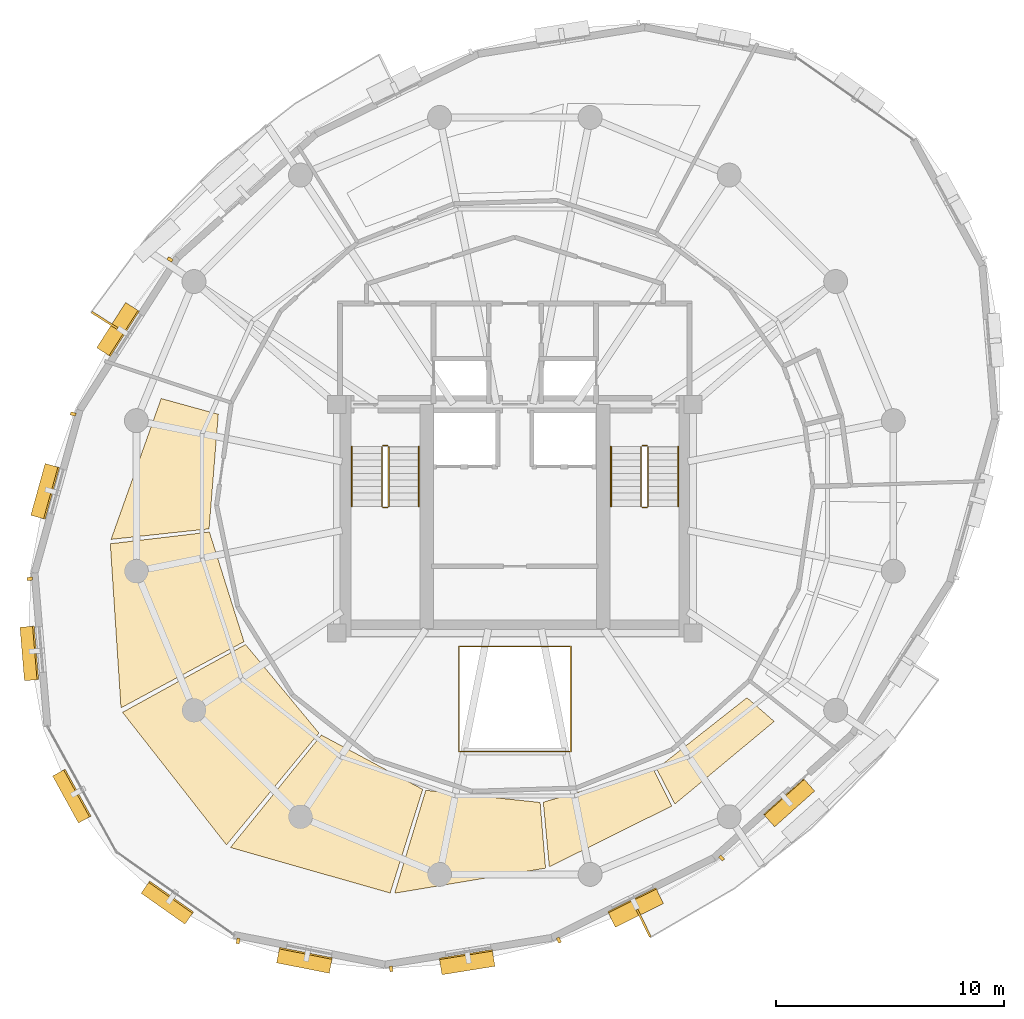
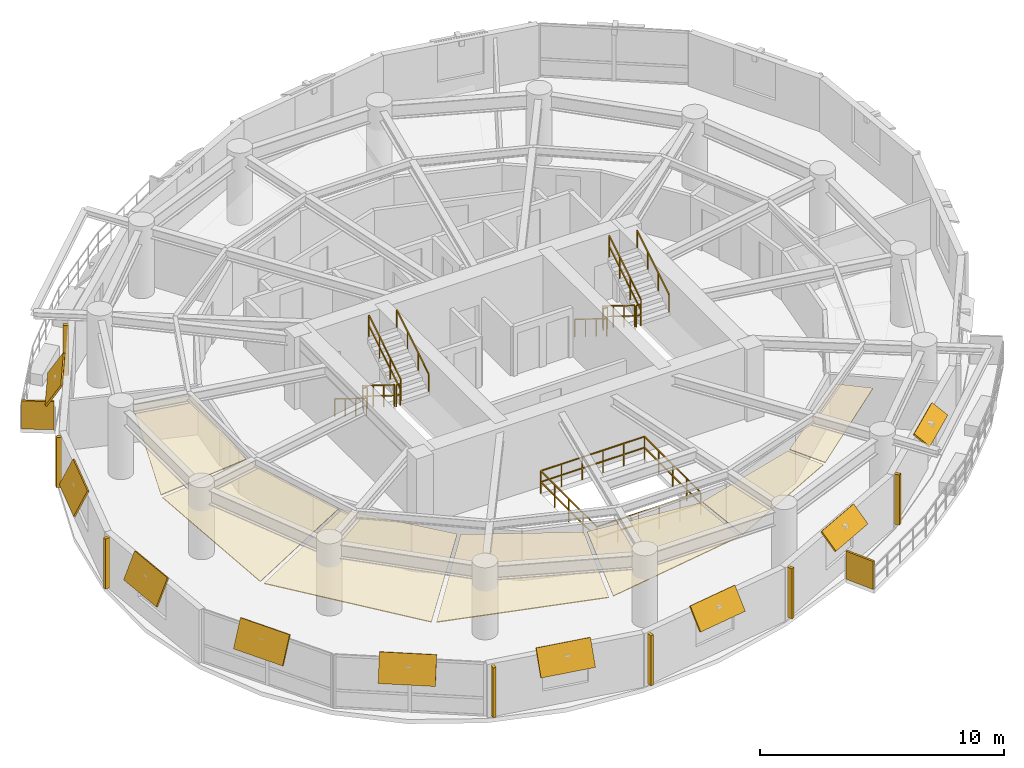
# One storey, part 11 of 12: 18 shading devices, 13 railings, 7 coverings.
"""IFC4 building model written with IfcOpenShell, lengths in metres."""

from ifc_helpers import new_model, si_unit, direction, frame, origin, origin_2d, place, context, subcontext, project, spatial, polyline, rectangle, outline, extrude, material, layer, layer_set, type_object, element, save


model = new_model("IFC4")

# Units and contexts
model_context = context("Model", 3, precision=1e-05, world=origin(), true_north=direction((0.0, 1.0)))
body_context = subcontext(model_context, "Body", "Model", "MODEL_VIEW")
ifc_project = project(units=[si_unit("LENGTHUNIT", "METRE"), si_unit("AREAUNIT", "SQUARE_METRE"), si_unit("VOLUMEUNIT", "CUBIC_METRE"), si_unit("PLANEANGLEUNIT", "RADIAN"), si_unit("MASSUNIT", "GRAM", prefix="KILO"), si_unit("THERMODYNAMICTEMPERATUREUNIT", "KELVIN"), si_unit("POWERUNIT", "WATT")], contexts=[model_context])

# Site, building, storey
site_placement = place(None, origin())
site = spatial("IfcSite", under=ifc_project, at=site_placement, CompositionType="ELEMENT")
building_placement = place(site_placement, origin())
building = spatial("IfcBuilding", under=site, at=building_placement, Name="Ocrelia Relay Tower", CompositionType="ELEMENT")
storey_placement = place(building_placement, frame((0.0, 0.0, 206.0)))
storey = spatial("IfcBuildingStorey", under=building, at=storey_placement, Name="L50", CompositionType="ELEMENT", Elevation=206.0)

# Coverings
ifc_material_1 = material(Name="Cleanroom metal-pan acoustic ceiling", Category="aluminium")
ifc_layer_1 = layer(ifc_material_1, 0.0400390625, Name="Cleanroom metal-pan acoustic ceiling")
ifc_layer_set_1 = layer_set([ifc_layer_1], Name="Cleanroom metal-pan acoustic ceiling")
covering_type = type_object("IfcCoveringType", Name="COV-CEIL-CLEAN", PredefinedType="CEILING", material=ifc_layer_set_1)
covering_1_placement = place(storey_placement, frame((0.0, 0.0, 2.3798828125)))
element("IfcCovering", 1, at=covering_1_placement, inside=storey, type_object=covering_type, Name="L50 Optical Switching Hall B Suspended Ceiling 1", PredefinedType="CEILING", context=body_context, shape_type="SweptSolid", body=[
    extrude(outline(polyline([(21.013671875, 29.576904296875), (18.510009765625, 30.2666015625), (16.31494140625, 24.0966796875), (20.607421875, 24.55859375), (21.013671875, 29.576904296875)])), origin(), (0.0, 0.0, 1.0), 0.0400390625),
])
covering_2_placement = place(storey_placement, frame((0.0, 0.0, 2.3798828125)))
element("IfcCovering", 2, at=covering_2_placement, inside=storey, type_object=covering_type, Name="L50 Optical Switching Hall B Suspended Ceiling 2", PredefinedType="CEILING", context=body_context, shape_type="SweptSolid", body=[
    extrude(outline(polyline([(20.623291015625, 24.41845703125), (16.281982421875, 23.9052734375), (16.75048828125, 16.7177734375), (22.138427734375, 19.616943359375), (20.623291015625, 24.41845703125)])), origin(), (0.0, 0.0, 1.0), 0.0400390625),
])
covering_3_placement = place(storey_placement, frame((0.0, 0.0, 2.3798828125)))
element("IfcCovering", 3, at=covering_3_placement, inside=storey, type_object=covering_type, Name="L50 Optical Switching Hall B Suspended Ceiling 3", PredefinedType="CEILING", context=body_context, shape_type="SweptSolid", body=[
    extrude(outline(polyline([(22.205810546875, 19.4931640625), (16.81884765625, 16.52099609375), (21.369384765625, 10.716552734375), (25.419189453125, 15.616943359375), (22.205810546875, 19.4931640625)])), origin(), (0.0, 0.0, 1.0), 0.0400390625),
])
covering_4_placement = place(storey_placement, frame((0.0, 0.0, 2.3798828125)))
element("IfcCovering", 4, at=covering_4_placement, inside=storey, type_object=covering_type, Name="L50 Optical Switching Hall B Suspended Ceiling 4", PredefinedType="CEILING", context=body_context, shape_type="SweptSolid", body=[
    extrude(outline(polyline([(25.5283203125, 15.527587890625), (21.54541015625, 10.60400390625), (28.539794921875, 8.606689453125), (29.965576171875, 13.1484375), (25.5283203125, 15.527587890625)])), origin(), (0.0, 0.0, 1.0), 0.0400390625),
])
covering_5_placement = place(storey_placement, frame((0.0, 0.0, 2.3798828125)))
element("IfcCovering", 5, at=covering_5_placement, inside=storey, type_object=covering_type, Name="L50 Optical Switching Hall B Suspended Ceiling 5", PredefinedType="CEILING", context=body_context, shape_type="SweptSolid", body=[
    extrude(outline(polyline([(30.100341796875, 13.106689453125), (28.73779296875, 8.602294921875), (35.344482421875, 9.697998046875), (35.107177734375, 12.57568359375), (30.100341796875, 13.106689453125)])), origin(), (0.0, 0.0, 1.0), 0.0400390625),
])
covering_6_placement = place(storey_placement, frame((0.0, 0.0, 2.3798828125)))
element("IfcCovering", 6, at=covering_6_placement, inside=storey, type_object=covering_type, Name="L50 Optical Switching Hall B Suspended Ceiling 6", PredefinedType="CEILING", context=body_context, shape_type="SweptSolid", body=[
    extrude(outline(polyline([(35.24755859375, 12.587890625), (35.510986328125, 9.75537109375), (40.877197265625, 12.4189453125), (40.085205078125, 13.98291015625), (35.24755859375, 12.587890625)])), origin(), (0.0, 0.0, 1.0), 0.0400390625),
])
covering_7_placement = place(storey_placement, frame((0.0, 0.0, 2.3798828125)))
element("IfcCovering", 7, at=covering_7_placement, inside=storey, type_object=covering_type, Name="L50 Optical Switching Hall B Suspended Ceiling 7", PredefinedType="CEILING", context=body_context, shape_type="SweptSolid", body=[
    extrude(outline(polyline([(40.210693359375, 14.04736328125), (41.010986328125, 12.50732421875), (45.359619140625, 16.125), (44.166015625, 17.162841796875), (40.210693359375, 14.04736328125)])), origin(), (0.0, 0.0, 1.0), 0.0400390625),
])

# Railings
ifc_material_2 = material(Name="Steel S355 atrium balustrade", Category="steel")
railing_type_1 = type_object("IfcRailingType", Name="RL-INT-GUARD-115", PredefinedType="GUARDRAIL", material=ifc_material_2)
railing_1_placement = place(storey_placement, frame((31.550048828125, 14.800048828125, 0.0)))
element("IfcRailing", 8, at=railing_1_placement, inside=storey, type_object=railing_type_1, Name="L50 Multi-Zone Interior Atrium Guard", PredefinedType="GUARDRAIL", context=body_context, shape_type="SweptSolid", body=[
    extrude(rectangle(XDim=0.048095703125, YDim=0.048095703125, at=origin_2d()), frame((0.0, 0.0, 1.1259765625), z_axis=(1.0, 0.0, 0.0), x_axis=(0.0, 1.0, 0.0)), (0.0, 0.0, 1.0), 4.89990234375),
    extrude(rectangle(XDim=0.048095703125, YDim=0.048095703125, at=origin_2d()), frame((0.0, 0.0, 0.574951171875), z_axis=(1.0, 0.0, 0.0), x_axis=(0.0, 1.0, 0.0)), (0.0, 0.0, 1.0), 4.89990234375),
    extrude(rectangle(XDim=0.048095703125, YDim=0.048095703125, at=origin_2d()), frame((4.89990234375, 0.0, 1.1259765625), z_axis=(0.0, 1.0, 0.0), x_axis=(-1.0, 0.0, 0.0)), (0.0, 0.0, 1.0), 4.599853515625),
    extrude(rectangle(XDim=0.048095703125, YDim=0.048095703125, at=origin_2d()), frame((4.89990234375, 0.0, 0.574951171875), z_axis=(0.0, 1.0, 0.0), x_axis=(-1.0, 0.0, 0.0)), (0.0, 0.0, 1.0), 4.599853515625),
    extrude(rectangle(XDim=0.048095703125, YDim=0.048095703125, at=origin_2d()), frame((4.89990234375, 4.599853515625, 1.1259765625), z_axis=(-1.0, 0.0, 0.0), x_axis=(0.0, -1.0, 0.0)), (0.0, 0.0, 1.0), 4.89990234375),
    extrude(rectangle(XDim=0.048095703125, YDim=0.048095703125, at=origin_2d()), frame((4.89990234375, 4.599853515625, 0.574951171875), z_axis=(-1.0, 0.0, 0.0), x_axis=(0.0, -1.0, 0.0)), (0.0, 0.0, 1.0), 4.89990234375),
    extrude(rectangle(XDim=0.048095703125, YDim=0.048095703125, at=origin_2d()), frame((0.0, 4.599853515625, 1.1259765625), z_axis=(0.0, -1.0, 0.0), x_axis=(1.0, 0.0, 0.0)), (0.0, 0.0, 1.0), 4.599853515625),
    extrude(rectangle(XDim=0.048095703125, YDim=0.048095703125, at=origin_2d()), frame((0.0, 4.599853515625, 0.574951171875), z_axis=(0.0, -1.0, 0.0), x_axis=(1.0, 0.0, 0.0)), (0.0, 0.0, 1.0), 4.599853515625),
    extrude(rectangle(XDim=0.0419921875, YDim=0.0419921875, at=origin_2d()), origin(), (0.0, 0.0, 1.0), 1.101806640625),
    extrude(rectangle(XDim=0.0419921875, YDim=0.0419921875, at=origin_2d()), frame((0.97998046875, 0.0, 0.0)), (0.0, 0.0, 1.0), 1.101806640625),
    extrude(rectangle(XDim=0.0419921875, YDim=0.0419921875, at=origin_2d()), frame((1.9599609375, 0.0, 0.0)), (0.0, 0.0, 1.0), 1.101806640625),
    extrude(rectangle(XDim=0.0419921875, YDim=0.0419921875, at=origin_2d()), frame((2.93994140625, 0.0, 0.0)), (0.0, 0.0, 1.0), 1.101806640625),
    extrude(rectangle(XDim=0.0419921875, YDim=0.0419921875, at=origin_2d()), frame((3.919921875, 0.0, 0.0)), (0.0, 0.0, 1.0), 1.101806640625),
    extrude(rectangle(XDim=0.0419921875, YDim=0.0419921875, at=origin_2d()), frame((4.89990234375, 0.0, 0.0)), (0.0, 0.0, 1.0), 1.101806640625),
    extrude(rectangle(XDim=0.0419921875, YDim=0.0419921875, at=origin_2d()), frame((4.89990234375, 1.14990234375, 0.0)), (0.0, 0.0, 1.0), 1.101806640625),
    extrude(rectangle(XDim=0.0419921875, YDim=0.0419921875, at=origin_2d()), frame((4.89990234375, 2.2998046875, 0.0)), (0.0, 0.0, 1.0), 1.101806640625),
    extrude(rectangle(XDim=0.0419921875, YDim=0.0419921875, at=origin_2d()), frame((4.89990234375, 3.449951171875, 0.0)), (0.0, 0.0, 1.0), 1.101806640625),
    extrude(rectangle(XDim=0.0419921875, YDim=0.0419921875, at=origin_2d()), frame((4.89990234375, 4.599853515625, 0.0)), (0.0, 0.0, 1.0), 1.101806640625),
    extrude(rectangle(XDim=0.0419921875, YDim=0.0419921875, at=origin_2d()), frame((3.919921875, 4.599853515625, 0.0)), (0.0, 0.0, 1.0), 1.101806640625),
    extrude(rectangle(XDim=0.0419921875, YDim=0.0419921875, at=origin_2d()), frame((2.93994140625, 4.599853515625, 0.0)), (0.0, 0.0, 1.0), 1.101806640625),
    extrude(rectangle(XDim=0.0419921875, YDim=0.0419921875, at=origin_2d()), frame((1.9599609375, 4.599853515625, 0.0)), (0.0, 0.0, 1.0), 1.101806640625),
    extrude(rectangle(XDim=0.0419921875, YDim=0.0419921875, at=origin_2d()), frame((0.97998046875, 4.599853515625, 0.0)), (0.0, 0.0, 1.0), 1.101806640625),
    extrude(rectangle(XDim=0.0419921875, YDim=0.0419921875, at=origin_2d()), frame((0.0, 4.599853515625, 0.0)), (0.0, 0.0, 1.0), 1.101806640625),
    extrude(rectangle(XDim=0.0419921875, YDim=0.0419921875, at=origin_2d()), frame((0.0, 3.449951171875, 0.0)), (0.0, 0.0, 1.0), 1.101806640625),
    extrude(rectangle(XDim=0.0419921875, YDim=0.0419921875, at=origin_2d()), frame((0.0, 2.2998046875, 0.0)), (0.0, 0.0, 1.0), 1.101806640625),
    extrude(rectangle(XDim=0.0419921875, YDim=0.0419921875, at=origin_2d()), frame((0.0, 1.14990234375, 0.0)), (0.0, 0.0, 1.0), 1.101806640625),
])
ifc_material_3 = material(Name="Steel S355 balustrade", Category="steel")
railing_type_2 = type_object("IfcRailingType", Name="RL-STAIR-GUARD", PredefinedType="GUARDRAIL", material=ifc_material_3)
railing_2_placement = place(storey_placement, frame((28.179931640625, 28.14990234375, 0.179931640625)))
element("IfcRailing", 9, at=railing_2_placement, inside=storey, type_object=railing_type_2, Name="L50 ST1 stair guard 1", PredefinedType="GUARDRAIL", context=body_context, shape_type="SweptSolid", body=[
    extrude(rectangle(XDim=0.048095703125, YDim=0.048095703125, at=origin_2d()), frame((0.0, 0.0, 1.076171875), z_axis=(0.0, -0.849610693518, 0.52741034258), x_axis=(1.0, 0.0, 0.0)), (0.0, 0.0, 1.0), 3.07177734375),
    extrude(rectangle(XDim=0.048095703125, YDim=0.048095703125, at=origin_2d()), frame((0.0, 0.0, 0.550048828125), z_axis=(0.0, -0.849610693518, 0.52741034258), x_axis=(1.0, 0.0, 0.0)), (0.0, 0.0, 1.0), 3.07177734375),
    extrude(rectangle(XDim=0.0419921875, YDim=0.0419921875, at=origin_2d()), origin(), (0.0, 0.0, 1.0), 1.052001953125),
    extrude(rectangle(XDim=0.0419921875, YDim=0.0419921875, at=origin_2d()), frame((0.0, -0.869873046875, 0.5400390625)), (0.0, 0.0, 1.0), 1.052001953125),
    extrude(rectangle(XDim=0.0419921875, YDim=0.0419921875, at=origin_2d()), frame((0.0, -1.739990234375, 1.080078125)), (0.0, 0.0, 1.0), 1.052001953125),
    extrude(rectangle(XDim=0.0419921875, YDim=0.0419921875, at=origin_2d()), frame((0.0, -2.60986328125, 1.6201171875)), (0.0, 0.0, 1.0), 1.052001953125),
])
railing_3_placement = place(storey_placement, frame((28.22998046875, 25.489990234375, 1.800048828125)))
element("IfcRailing", 10, at=railing_3_placement, inside=storey, type_object=railing_type_2, Name="L50 ST1 stair guard 2", PredefinedType="GUARDRAIL", context=body_context, shape_type="SweptSolid", body=[
    extrude(rectangle(XDim=0.048095703125, YDim=0.048095703125, at=origin_2d()), frame((0.0, 0.0, 1.076171875), z_axis=(1.0, 0.0, 0.0), x_axis=(0.0, 1.0, 0.0)), (0.0, 0.0, 1.0), 0.199951171875),
    extrude(rectangle(XDim=0.048095703125, YDim=0.048095703125, at=origin_2d()), frame((0.0, 0.0, 0.550048828125), z_axis=(1.0, 0.0, 0.0), x_axis=(0.0, 1.0, 0.0)), (0.0, 0.0, 1.0), 0.199951171875),
    extrude(rectangle(XDim=0.0419921875, YDim=0.0419921875, at=origin_2d()), origin(), (0.0, 0.0, 1.0), 1.052001953125),
    extrude(rectangle(XDim=0.0419921875, YDim=0.0419921875, at=origin_2d()), frame((0.199951171875, 0.0, 0.0)), (0.0, 0.0, 1.0), 1.052001953125),
])
railing_4_placement = place(storey_placement, frame((28.47998046875, 25.5400390625, 1.97998046875)))
element("IfcRailing", 11, at=railing_4_placement, inside=storey, type_object=railing_type_2, Name="L50 ST1 stair guard 3", PredefinedType="GUARDRAIL", context=body_context, shape_type="SweptSolid", body=[
    extrude(rectangle(XDim=0.048095703125, YDim=0.048095703125, at=origin_2d()), frame((0.0, 0.0, 1.076171875), z_axis=(0.0, 0.849610693518, 0.52741034258), x_axis=(-1.0, 0.0, 0.0)), (0.0, 0.0, 1.0), 3.07177734375),
    extrude(rectangle(XDim=0.048095703125, YDim=0.048095703125, at=origin_2d()), frame((0.0, 0.0, 0.550048828125), z_axis=(0.0, 0.849610693518, 0.52741034258), x_axis=(-1.0, 0.0, 0.0)), (0.0, 0.0, 1.0), 3.07177734375),
    extrude(rectangle(XDim=0.0419921875, YDim=0.0419921875, at=origin_2d()), origin(), (0.0, 0.0, 1.0), 1.052001953125),
    extrude(rectangle(XDim=0.0419921875, YDim=0.0419921875, at=origin_2d()), frame((0.0, 0.869873046875, 0.5400390625)), (0.0, 0.0, 1.0), 1.052001953125),
    extrude(rectangle(XDim=0.0419921875, YDim=0.0419921875, at=origin_2d()), frame((0.0, 1.739990234375, 1.080078125)), (0.0, 0.0, 1.0), 1.052001953125),
    extrude(rectangle(XDim=0.0419921875, YDim=0.0419921875, at=origin_2d()), frame((0.0, 2.60986328125, 1.6201171875)), (0.0, 0.0, 1.0), 1.052001953125),
])
railing_5_placement = place(storey_placement, frame((28.22998046875, 28.199951171875, 0.0)))
element("IfcRailing", 12, at=railing_5_placement, inside=storey, type_object=railing_type_2, Name="L50 ST1 stair guard 4", PredefinedType="GUARDRAIL", context=body_context, shape_type="SweptSolid", body=[
    extrude(rectangle(XDim=0.048095703125, YDim=0.048095703125, at=origin_2d()), frame((0.0, 0.0, 1.076171875), z_axis=(1.0, 0.0, 0.0), x_axis=(0.0, 1.0, 0.0)), (0.0, 0.0, 1.0), 0.199951171875),
    extrude(rectangle(XDim=0.048095703125, YDim=0.048095703125, at=origin_2d()), frame((0.0, 0.0, 0.550048828125), z_axis=(1.0, 0.0, 0.0), x_axis=(0.0, 1.0, 0.0)), (0.0, 0.0, 1.0), 0.199951171875),
    extrude(rectangle(XDim=0.0419921875, YDim=0.0419921875, at=origin_2d()), origin(), (0.0, 0.0, 1.0), 1.052001953125),
    extrude(rectangle(XDim=0.0419921875, YDim=0.0419921875, at=origin_2d()), frame((0.199951171875, 0.0, 0.0)), (0.0, 0.0, 1.0), 1.052001953125),
])
railing_6_placement = place(storey_placement, frame((39.530029296875, 28.14990234375, 0.179931640625)))
element("IfcRailing", 13, at=railing_6_placement, inside=storey, type_object=railing_type_2, Name="L50 ST2 stair guard 1", PredefinedType="GUARDRAIL", context=body_context, shape_type="SweptSolid", body=[
    extrude(rectangle(XDim=0.048095703125, YDim=0.048095703125, at=origin_2d()), frame((0.0, 0.0, 1.076171875), z_axis=(0.0, -0.849610693518, 0.52741034258), x_axis=(1.0, 0.0, 0.0)), (0.0, 0.0, 1.0), 3.07177734375),
    extrude(rectangle(XDim=0.048095703125, YDim=0.048095703125, at=origin_2d()), frame((0.0, 0.0, 0.550048828125), z_axis=(0.0, -0.849610693518, 0.52741034258), x_axis=(1.0, 0.0, 0.0)), (0.0, 0.0, 1.0), 3.07177734375),
    extrude(rectangle(XDim=0.0419921875, YDim=0.0419921875, at=origin_2d()), origin(), (0.0, 0.0, 1.0), 1.052001953125),
    extrude(rectangle(XDim=0.0419921875, YDim=0.0419921875, at=origin_2d()), frame((0.0, -0.869873046875, 0.5400390625)), (0.0, 0.0, 1.0), 1.052001953125),
    extrude(rectangle(XDim=0.0419921875, YDim=0.0419921875, at=origin_2d()), frame((0.0, -1.739990234375, 1.080078125)), (0.0, 0.0, 1.0), 1.052001953125),
    extrude(rectangle(XDim=0.0419921875, YDim=0.0419921875, at=origin_2d()), frame((0.0, -2.60986328125, 1.6201171875)), (0.0, 0.0, 1.0), 1.052001953125),
])
railing_7_placement = place(storey_placement, frame((39.580078125, 25.489990234375, 1.800048828125)))
element("IfcRailing", 14, at=railing_7_placement, inside=storey, type_object=railing_type_2, Name="L50 ST2 stair guard 2", PredefinedType="GUARDRAIL", context=body_context, shape_type="SweptSolid", body=[
    extrude(rectangle(XDim=0.048095703125, YDim=0.048095703125, at=origin_2d()), frame((0.0, 0.0, 1.076171875), z_axis=(1.0, 0.0, 0.0), x_axis=(0.0, 1.0, 0.0)), (0.0, 0.0, 1.0), 0.199951171875),
    extrude(rectangle(XDim=0.048095703125, YDim=0.048095703125, at=origin_2d()), frame((0.0, 0.0, 0.550048828125), z_axis=(1.0, 0.0, 0.0), x_axis=(0.0, 1.0, 0.0)), (0.0, 0.0, 1.0), 0.199951171875),
    extrude(rectangle(XDim=0.0419921875, YDim=0.0419921875, at=origin_2d()), origin(), (0.0, 0.0, 1.0), 1.052001953125),
    extrude(rectangle(XDim=0.0419921875, YDim=0.0419921875, at=origin_2d()), frame((0.199951171875, 0.0, 0.0)), (0.0, 0.0, 1.0), 1.052001953125),
])
railing_8_placement = place(storey_placement, frame((39.830078125, 25.5400390625, 1.97998046875)))
element("IfcRailing", 15, at=railing_8_placement, inside=storey, type_object=railing_type_2, Name="L50 ST2 stair guard 3", PredefinedType="GUARDRAIL", context=body_context, shape_type="SweptSolid", body=[
    extrude(rectangle(XDim=0.048095703125, YDim=0.048095703125, at=origin_2d()), frame((0.0, 0.0, 1.076171875), z_axis=(0.0, 0.849610693518, 0.52741034258), x_axis=(-1.0, 0.0, 0.0)), (0.0, 0.0, 1.0), 3.07177734375),
    extrude(rectangle(XDim=0.048095703125, YDim=0.048095703125, at=origin_2d()), frame((0.0, 0.0, 0.550048828125), z_axis=(0.0, 0.849610693518, 0.52741034258), x_axis=(-1.0, 0.0, 0.0)), (0.0, 0.0, 1.0), 3.07177734375),
    extrude(rectangle(XDim=0.0419921875, YDim=0.0419921875, at=origin_2d()), origin(), (0.0, 0.0, 1.0), 1.052001953125),
    extrude(rectangle(XDim=0.0419921875, YDim=0.0419921875, at=origin_2d()), frame((0.0, 0.869873046875, 0.5400390625)), (0.0, 0.0, 1.0), 1.052001953125),
    extrude(rectangle(XDim=0.0419921875, YDim=0.0419921875, at=origin_2d()), frame((0.0, 1.739990234375, 1.080078125)), (0.0, 0.0, 1.0), 1.052001953125),
    extrude(rectangle(XDim=0.0419921875, YDim=0.0419921875, at=origin_2d()), frame((0.0, 2.60986328125, 1.6201171875)), (0.0, 0.0, 1.0), 1.052001953125),
])
railing_9_placement = place(storey_placement, frame((39.580078125, 28.199951171875, 0.0)))
element("IfcRailing", 16, at=railing_9_placement, inside=storey, type_object=railing_type_2, Name="L50 ST2 stair guard 4", PredefinedType="GUARDRAIL", context=body_context, shape_type="SweptSolid", body=[
    extrude(rectangle(XDim=0.048095703125, YDim=0.048095703125, at=origin_2d()), frame((0.0, 0.0, 1.076171875), z_axis=(1.0, 0.0, 0.0), x_axis=(0.0, 1.0, 0.0)), (0.0, 0.0, 1.0), 0.199951171875),
    extrude(rectangle(XDim=0.048095703125, YDim=0.048095703125, at=origin_2d()), frame((0.0, 0.0, 0.550048828125), z_axis=(1.0, 0.0, 0.0), x_axis=(0.0, 1.0, 0.0)), (0.0, 0.0, 1.0), 0.199951171875),
    extrude(rectangle(XDim=0.0419921875, YDim=0.0419921875, at=origin_2d()), origin(), (0.0, 0.0, 1.0), 1.052001953125),
    extrude(rectangle(XDim=0.0419921875, YDim=0.0419921875, at=origin_2d()), frame((0.199951171875, 0.0, 0.0)), (0.0, 0.0, 1.0), 1.052001953125),
])
ifc_material_4 = material(Name="Steel S355 tubular handrail", Category="steel")
railing_type_3 = type_object("IfcRailingType", Name="RL-STAIR-HAND", PredefinedType="HANDRAIL", material=ifc_material_4)
railing_10_placement = place(storey_placement, frame((26.860107421875, 28.14990234375, 0.179931640625)))
element("IfcRailing", 17, at=railing_10_placement, inside=storey, type_object=railing_type_3, Name="L50 ST1 stair handrail 1", PredefinedType="HANDRAIL", context=body_context, shape_type="SweptSolid", body=[
    extrude(rectangle(XDim=0.048095703125, YDim=0.048095703125, at=origin_2d()), frame((0.0, 0.0, 0.8759765625), z_axis=(0.0, -0.849610693518, 0.52741034258), x_axis=(1.0, 0.0, 0.0)), (0.0, 0.0, 1.0), 3.07177734375),
    extrude(rectangle(XDim=0.0419921875, YDim=0.0419921875, at=origin_2d()), origin(), (0.0, 0.0, 1.0), 0.851806640625),
    extrude(rectangle(XDim=0.0419921875, YDim=0.0419921875, at=origin_2d()), frame((0.0, -0.869873046875, 0.5400390625)), (0.0, 0.0, 1.0), 0.851806640625),
    extrude(rectangle(XDim=0.0419921875, YDim=0.0419921875, at=origin_2d()), frame((0.0, -1.739990234375, 1.080078125)), (0.0, 0.0, 1.0), 0.851806640625),
    extrude(rectangle(XDim=0.0419921875, YDim=0.0419921875, at=origin_2d()), frame((0.0, -2.60986328125, 1.6201171875)), (0.0, 0.0, 1.0), 0.851806640625),
])
railing_11_placement = place(storey_placement, frame((29.800048828125, 25.5400390625, 1.97998046875)))
element("IfcRailing", 18, at=railing_11_placement, inside=storey, type_object=railing_type_3, Name="L50 ST1 stair handrail 2", PredefinedType="HANDRAIL", context=body_context, shape_type="SweptSolid", body=[
    extrude(rectangle(XDim=0.048095703125, YDim=0.048095703125, at=origin_2d()), frame((0.0, 0.0, 0.8759765625), z_axis=(0.0, 0.849610693518, 0.52741034258), x_axis=(-1.0, 0.0, 0.0)), (0.0, 0.0, 1.0), 3.07177734375),
    extrude(rectangle(XDim=0.0419921875, YDim=0.0419921875, at=origin_2d()), origin(), (0.0, 0.0, 1.0), 0.851806640625),
    extrude(rectangle(XDim=0.0419921875, YDim=0.0419921875, at=origin_2d()), frame((0.0, 0.869873046875, 0.5400390625)), (0.0, 0.0, 1.0), 0.851806640625),
    extrude(rectangle(XDim=0.0419921875, YDim=0.0419921875, at=origin_2d()), frame((0.0, 1.739990234375, 1.080078125)), (0.0, 0.0, 1.0), 0.851806640625),
    extrude(rectangle(XDim=0.0419921875, YDim=0.0419921875, at=origin_2d()), frame((0.0, 2.60986328125, 1.6201171875)), (0.0, 0.0, 1.0), 0.851806640625),
])
railing_12_placement = place(storey_placement, frame((38.2099609375, 28.14990234375, 0.179931640625)))
element("IfcRailing", 19, at=railing_12_placement, inside=storey, type_object=railing_type_3, Name="L50 ST2 stair handrail 1", PredefinedType="HANDRAIL", context=body_context, shape_type="SweptSolid", body=[
    extrude(rectangle(XDim=0.048095703125, YDim=0.048095703125, at=origin_2d()), frame((0.0, 0.0, 0.8759765625), z_axis=(0.0, -0.849610693518, 0.52741034258), x_axis=(1.0, 0.0, 0.0)), (0.0, 0.0, 1.0), 3.07177734375),
    extrude(rectangle(XDim=0.0419921875, YDim=0.0419921875, at=origin_2d()), origin(), (0.0, 0.0, 1.0), 0.851806640625),
    extrude(rectangle(XDim=0.0419921875, YDim=0.0419921875, at=origin_2d()), frame((0.0, -0.869873046875, 0.5400390625)), (0.0, 0.0, 1.0), 0.851806640625),
    extrude(rectangle(XDim=0.0419921875, YDim=0.0419921875, at=origin_2d()), frame((0.0, -1.739990234375, 1.080078125)), (0.0, 0.0, 1.0), 0.851806640625),
    extrude(rectangle(XDim=0.0419921875, YDim=0.0419921875, at=origin_2d()), frame((0.0, -2.60986328125, 1.6201171875)), (0.0, 0.0, 1.0), 0.851806640625),
])
railing_13_placement = place(storey_placement, frame((41.14990234375, 25.5400390625, 1.97998046875)))
element("IfcRailing", 20, at=railing_13_placement, inside=storey, type_object=railing_type_3, Name="L50 ST2 stair handrail 2", PredefinedType="HANDRAIL", context=body_context, shape_type="SweptSolid", body=[
    extrude(rectangle(XDim=0.048095703125, YDim=0.048095703125, at=origin_2d()), frame((0.0, 0.0, 0.8759765625), z_axis=(0.0, 0.849610693518, 0.52741034258), x_axis=(-1.0, 0.0, 0.0)), (0.0, 0.0, 1.0), 3.07177734375),
    extrude(rectangle(XDim=0.0419921875, YDim=0.0419921875, at=origin_2d()), origin(), (0.0, 0.0, 1.0), 0.851806640625),
    extrude(rectangle(XDim=0.0419921875, YDim=0.0419921875, at=origin_2d()), frame((0.0, 0.869873046875, 0.5400390625)), (0.0, 0.0, 1.0), 0.851806640625),
    extrude(rectangle(XDim=0.0419921875, YDim=0.0419921875, at=origin_2d()), frame((0.0, 1.739990234375, 1.080078125)), (0.0, 0.0, 1.0), 0.851806640625),
    extrude(rectangle(XDim=0.0419921875, YDim=0.0419921875, at=origin_2d()), frame((0.0, 2.60986328125, 1.6201171875)), (0.0, 0.0, 1.0), 0.851806640625),
])

# Shading devices
ifc_material_5 = material(Name="Perforated oxide terracotta solar screen", Category="masonry")
ifc_layer_2 = layer(ifc_material_5, 0.090087890625, Name="Perforated oxide terracotta solar screen")
ifc_layer_set_2 = layer_set([ifc_layer_2], Name="Perforated oxide terracotta solar screen")
shading_device_type_1 = type_object("IfcShadingDeviceType", Name="SH-BALC-SCREEN", PredefinedType="USERDEFINED", material=ifc_layer_set_2)
for number, where, z_axis, x_axis, name in (
    (21, (16.033447265625, 33.6904296875, 0.0), (0.0, 0.0, 1.0), (-0.842904205387, 0.538063658446, 0.0), "L50 Balcony Perforated Terracotta Screen B1-2"),
    (22, (39.639892578125, 7.2880859375, 0.0), (0.0, 0.0, 1.0), (0.440772020625, -0.897619087271, 0.0), "L50 Balcony Perforated Terracotta Screen B2-1"),
):
    element("IfcShadingDevice", number, at=place(storey_placement, frame(where, z_axis=z_axis, x_axis=x_axis)), inside=storey, type_object=shading_device_type_1, Name=name, ObjectType="SCREEN", PredefinedType="USERDEFINED", context=body_context, shape_type="SweptSolid", body=[
        extrude(rectangle(XDim=1.340087890625, YDim=0.090087890625, at=origin_2d()), origin(), (0.0, 0.0, 1.0), 1.39990234375),
    ])
ifc_material_6 = material(Name="Extruded oxide terracotta vertical baguette", Category="masonry")
shading_device_type_2 = type_object("IfcShadingDeviceType", Name="SH-TERR-BAGUETTE", PredefinedType="USERDEFINED", material=ifc_material_6)
for number, where, z_axis, x_axis, name in (
    (23, (18.898193359375, 36.35498046875, 0.080078125), (0.0, 0.0, 1.0), (-0.539387998988, -0.842057353479, 0.0), "L50 Oxide Terracotta Vertical Baguette 06"),
    (24, (14.65966796875, 29.587890625, 0.080078125), (0.0, 0.0, 1.0), (-0.267307095451, -0.963611393001, 0.0), "L50 Oxide Terracotta Vertical Baguette 07"),
    (25, (12.7587890625, 22.371337890625, 0.080078125), (0.0, 0.0, 1.0), (0.082920329561, -0.996556179523, 0.0), "L50 Oxide Terracotta Vertical Baguette 08"),
    (26, (21.87939453125, 6.5078125, 0.080078125), (0.0, 0.0, 1.0), (0.981102330066, -0.193489580956, 0.0), "L50 Oxide Terracotta Vertical Baguette 11"),
    (27, (28.57958984375, 5.28564453125, 0.080078125), (0.0, 0.0, 1.0), (0.987400277531, 0.158242509873, 0.0), "L50 Oxide Terracotta Vertical Baguette 12"),
    (28, (35.927490234375, 6.545166015625, 0.080078125), (0.0, 0.0, 1.0), (0.896938449796, 0.442155422083, 0.0), "L50 Oxide Terracotta Vertical Baguette 13"),
    (29, (43.052734375, 10.138916015625, 0.080078125), (0.0, 0.0, 1.0), (0.745472659088, 0.666536206483, 0.0), "L50 Oxide Terracotta Vertical Baguette 14"),
):
    element("IfcShadingDevice", number, at=place(storey_placement, frame(where, z_axis=z_axis, x_axis=x_axis)), inside=storey, type_object=shading_device_type_2, Name=name, ObjectType="BAGUETTE", PredefinedType="USERDEFINED", context=body_context, shape_type="SweptSolid", body=[
        extrude(rectangle(XDim=0.139892578125, YDim=0.239990234375, at=origin_2d()), origin(), (0.0, 0.0, 1.0), 2.5),
    ])
ifc_material_7 = material(Name="Extruded oxide terracotta fin", Category="masonry")
ifc_layer_3 = layer(ifc_material_7, 0.080078125, Name="Extruded oxide terracotta fin")
ifc_layer_set_3 = layer_set([ifc_layer_3], Name="Extruded oxide terracotta fin")
shading_device_type_3 = type_object("IfcShadingDeviceType", Name="SH-VISOR-FIN-DEEP", PredefinedType="USERDEFINED", material=ifc_layer_set_3)
shading_device_1_placement = place(storey_placement, frame((16.649658203125, 33.27099609375, 2.478759765625), z_axis=(-0.715193329648, 0.458124018958, 0.527845511945), x_axis=(-0.539387998988, -0.842057353479, 0.0)))
element("IfcShadingDevice", 30, at=shading_device_1_placement, inside=storey, type_object=shading_device_type_3, Name="L50 Canted Terracotta Sun-Visor Fin 06", ObjectType="FIN", PredefinedType="USERDEFINED", context=body_context, shape_type="SweptSolid", body=[
    extrude(rectangle(XDim=2.35009765625, YDim=1.218994140625, at=origin_2d()), origin(), (0.0, 0.0, 1.0), 0.080078125),
])
shading_device_2_placement = place(storey_placement, frame((13.46435546875, 26.189208984375, 2.482177734375), z_axis=(-0.863491626293, 0.239533737612, 0.443853354011), x_axis=(-0.267307095451, -0.963611393001, 0.0)))
element("IfcShadingDevice", 31, at=shading_device_2_placement, inside=storey, type_object=shading_device_type_3, Name="L50 Canted Terracotta Sun-Visor Fin 07", ObjectType="FIN", PredefinedType="USERDEFINED", context=body_context, shape_type="SweptSolid", body=[
    extrude(rectangle(XDim=2.35009765625, YDim=1.31103515625, at=origin_2d()), origin(), (0.0, 0.0, 1.0), 0.080078125),
])
shading_device_3_placement = place(storey_placement, frame((12.773193359375, 19.105712890625, 2.483642578125), z_axis=(-0.909121480213, -0.075645161105, 0.40960461889), x_axis=(0.082920329561, -0.996556179523, 0.0)))
element("IfcShadingDevice", 32, at=shading_device_3_placement, inside=storey, type_object=shading_device_type_3, Name="L50 Canted Terracotta Sun-Visor Fin 08", ObjectType="FIN", PredefinedType="USERDEFINED", context=body_context, shape_type="SweptSolid", body=[
    extrude(rectangle(XDim=2.35009765625, YDim=1.346923828125, at=origin_2d()), origin(), (0.0, 0.0, 1.0), 0.080078125),
])
shading_device_4_placement = place(storey_placement, frame((14.62939453125, 12.8720703125, 2.483642578125), z_axis=(-0.798520497902, -0.439341492568, 0.411514358605), x_axis=(0.482049498647, -0.876143984088, 0.0)))
element("IfcShadingDevice", 33, at=shading_device_4_placement, inside=storey, type_object=shading_device_type_3, Name="L50 Canted Terracotta Sun-Visor Fin 09", ObjectType="FIN", PredefinedType="USERDEFINED", context=body_context, shape_type="SweptSolid", body=[
    extrude(rectangle(XDim=2.35009765625, YDim=1.344970703125, at=origin_2d()), origin(), (0.0, 0.0, 1.0), 0.080078125),
])
shading_device_5_placement = place(storey_placement, frame((18.800048828125, 8.219482421875, 2.482421875), z_axis=(-0.517638933834, -0.73326348681, 0.440879340739), x_axis=(0.816946248172, -0.576713817762, 0.0)))
element("IfcShadingDevice", 34, at=shading_device_5_placement, inside=storey, type_object=shading_device_type_3, Name="L50 Canted Terracotta Sun-Visor Fin 10", ObjectType="FIN", PredefinedType="USERDEFINED", context=body_context, shape_type="SweptSolid", body=[
    extrude(rectangle(XDim=2.35009765625, YDim=1.31396484375, at=origin_2d()), origin(), (0.0, 0.0, 1.0), 0.080078125),
])
shading_device_6_placement = place(storey_placement, frame((24.793212890625, 5.69580078125, 2.480224609375), z_axis=(-0.167920354344, -0.851451794451, 0.496822499816), x_axis=(0.981102330066, -0.193489580956, 0.0)))
element("IfcShadingDevice", 35, at=shading_device_6_placement, inside=storey, type_object=shading_device_type_3, Name="L50 Canted Terracotta Sun-Visor Fin 11", ObjectType="FIN", PredefinedType="USERDEFINED", context=body_context, shape_type="SweptSolid", body=[
    extrude(rectangle(XDim=2.35009765625, YDim=1.25390625, at=origin_2d()), origin(), (0.0, 0.0, 1.0), 0.080078125),
])
shading_device_7_placement = place(storey_placement, frame((31.90380859375, 5.611328125, 2.4765625), z_axis=(0.128522250114, -0.801952051527, 0.583399467156), x_axis=(0.987400277531, 0.158242509873, 0.0)))
element("IfcShadingDevice", 36, at=shading_device_7_placement, inside=storey, type_object=shading_device_type_3, Name="L50 Canted Terracotta Sun-Visor Fin 12", ObjectType="FIN", PredefinedType="USERDEFINED", context=body_context, shape_type="SweptSolid", body=[
    extrude(rectangle(XDim=2.35009765625, YDim=1.155029296875, at=origin_2d()), origin(), (0.0, 0.0, 1.0), 0.080078125),
])
ifc_layer_4 = layer(ifc_material_7, 0.080078125, Name="Extruded oxide terracotta fin")
ifc_layer_set_4 = layer_set([ifc_layer_4], Name="Extruded oxide terracotta fin")
shading_device_type_4 = type_object("IfcShadingDeviceType", Name="SH-VISOR-FIN-MED", PredefinedType="USERDEFINED", material=ifc_layer_set_4)
shading_device_8_placement = place(storey_placement, frame((39.27734375, 7.99853515625, 2.471923828125), z_axis=(0.315961957913, -0.640947536932, 0.699538630851), x_axis=(0.896938449796, 0.442155422083, 0.0)))
element("IfcShadingDevice", 37, at=shading_device_8_placement, inside=storey, type_object=shading_device_type_4, Name="L50 Canted Terracotta Sun-Visor Fin 13", ObjectType="FIN", PredefinedType="USERDEFINED", context=body_context, shape_type="SweptSolid", body=[
    extrude(rectangle(XDim=2.35009765625, YDim=1.010009765625, at=origin_2d()), origin(), (0.0, 0.0, 1.0), 0.080078125),
])
shading_device_9_placement = place(storey_placement, frame((45.99658203125, 12.582275390625, 2.46728515625), z_axis=(0.382881016384, -0.428224793524, 0.818550947409), x_axis=(0.745472659088, 0.666536206483, 0.0)))
element("IfcShadingDevice", 38, at=shading_device_9_placement, inside=storey, type_object=shading_device_type_4, Name="L50 Canted Terracotta Sun-Visor Fin 14", ObjectType="FIN", PredefinedType="USERDEFINED", context=body_context, shape_type="SweptSolid", body=[
    extrude(rectangle(XDim=2.35009765625, YDim=0.833984375, at=origin_2d()), origin(), (0.0, 0.0, 1.0), 0.080078125),
])

save(model, "model.ifc")
